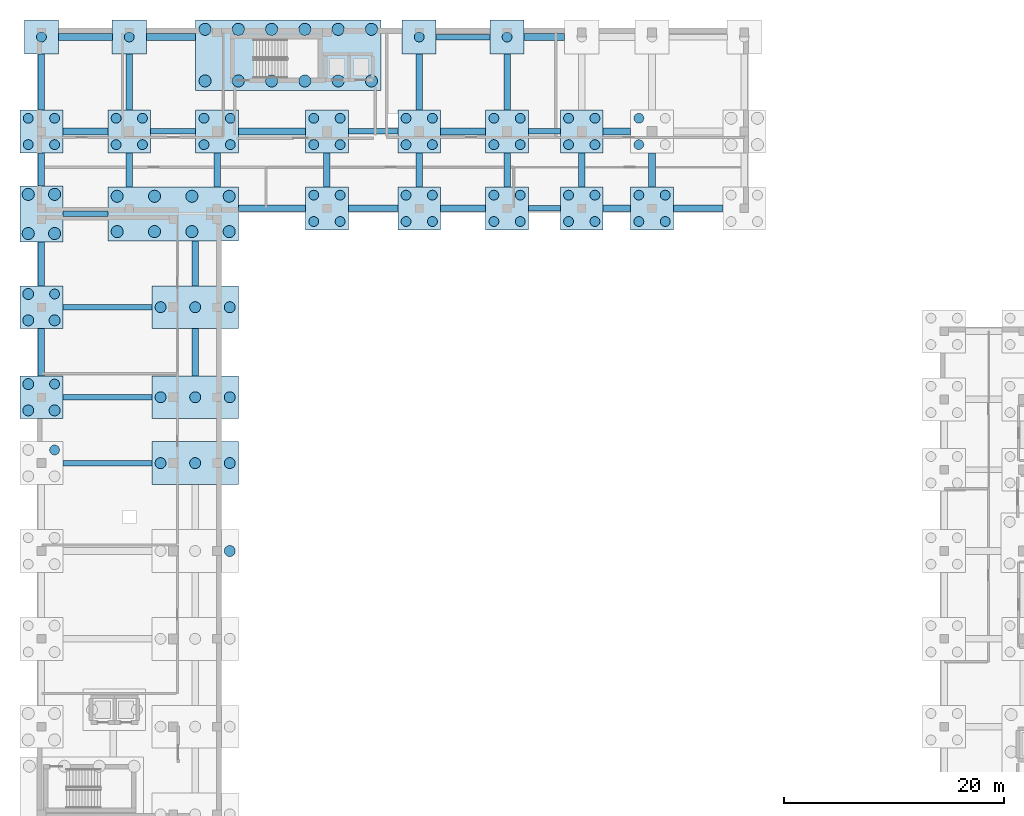
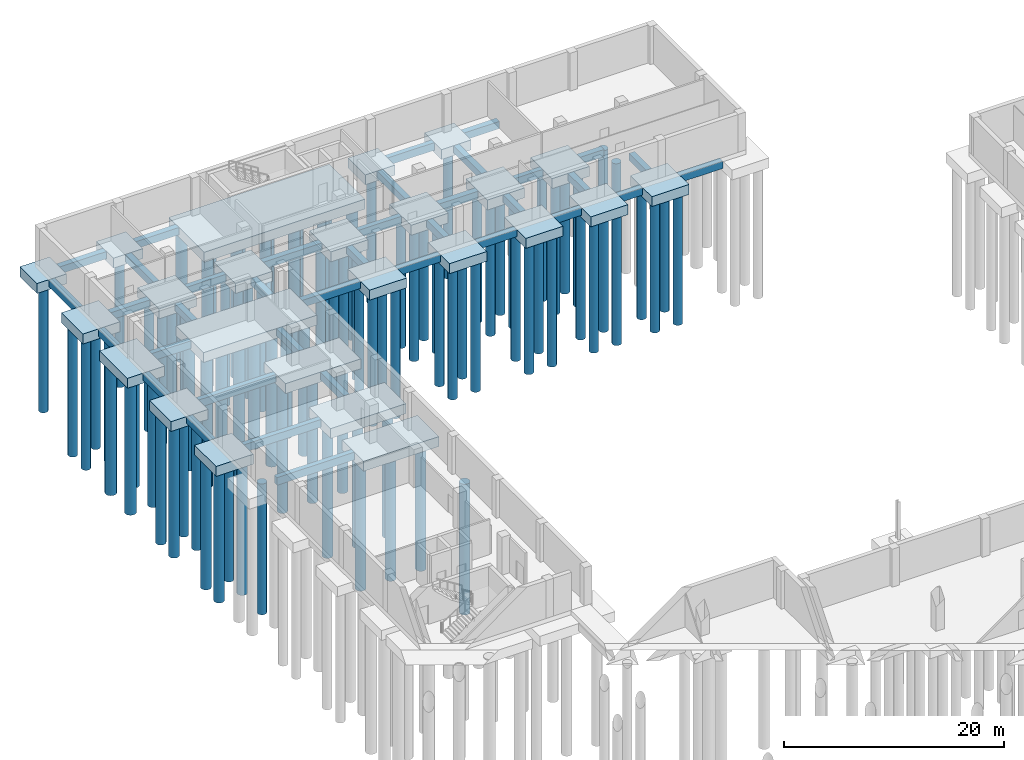
# One storey, part 4 of 31: 97 piles, 61 footings.
"""IFC4 building model written with IfcOpenShell, lengths in metres."""

import ifcopenshell
import ifcopenshell.guid

model = None  # the IFC model being written
_history = None  # IfcOwnerHistory: only IFC2X3 demands one
_inside = {}  # id of a spatial element -> (the spatial element, [elements in it])
_under = {}  # id of a project, library or spatial element -> (it, [spatial elements below it])
_declared = {}  # id of a project -> (the project, [libraries it declares])
_typed = {}  # id of a type object -> (the type object, [elements of that type])
_made_of = {}  # id of a material, layer set ... -> (it, [elements and type objects made of it])


def new_model(schema):
    """Start an empty IFC model of exactly this schema.

    Asked for "IFC4X3", IfcOpenShell would pick the latest addendum, in which some entities
    have other attributes; the version numbers below select the first issue.
    IFC2X3 requires an IfcOwnerHistory on every rooted entity: one is made here for all.
    """
    global model, _history
    if schema == "IFC4X3":
        model = ifcopenshell.file(schema_version=(4, 3, 0, 0))
    else:
        model = ifcopenshell.file(schema=schema)
    _inside.clear()
    _under.clear()
    _declared.clear()
    _typed.clear()
    _made_of.clear()
    _history = None
    if model.schema == "IFC2X3":
        org = make("IfcOrganization", Name="unknown")
        user = make(
            "IfcPersonAndOrganization",
            ThePerson=make("IfcPerson", FamilyName="unknown"),
            TheOrganization=org,
        )
        app = make(
            "IfcApplication",
            ApplicationDeveloper=org,
            Version="unknown",
            ApplicationFullName="unknown",
            ApplicationIdentifier="unknown",
        )
        _history = make(
            "IfcOwnerHistory",
            OwningUser=user,
            OwningApplication=app,
            ChangeAction="ADDED",
            CreationDate=0,
        )
    return model


def make(cls, **values):
    """One entity of the class cls with the attributes given. An attribute that is None is left unset."""
    return model.create_entity(
        cls, **{name: value for name, value in values.items() if value is not None}
    )


def rooted(cls, **values):
    """An entity with a GlobalId (a new one), such as an element, a storey or a relation."""
    return make(cls, GlobalId=ifcopenshell.guid.new(), OwnerHistory=_history, **values)


def si_unit(unit_type, name, prefix=None):
    """IfcSIUnit, for example si_unit("LENGTHUNIT", "METRE", prefix="MILLI")."""
    return make("IfcSIUnit", UnitType=unit_type, Prefix=prefix, Name=name)


def assignment(units):
    """IfcUnitAssignment: the units of a project."""
    return None if units is None else make("IfcUnitAssignment", Units=units)


def point(xyz):
    """IfcCartesianPoint."""
    return None if xyz is None else make("IfcCartesianPoint", Coordinates=xyz)


def direction(xyz):
    """IfcDirection."""
    return None if xyz is None else make("IfcDirection", DirectionRatios=xyz)


def frame(location, z_axis=None, x_axis=None):
    """IfcAxis2Placement3D, a coordinate frame: its origin and axes. An axis left out is left unset."""
    return make(
        "IfcAxis2Placement3D",
        Location=point(location),
        Axis=direction(z_axis),
        RefDirection=direction(x_axis),
    )


def frame_2d(location, x_axis=None):
    """IfcAxis2Placement2D, a coordinate frame in the plane: its origin and x axis."""
    return make(
        "IfcAxis2Placement2D", Location=point(location), RefDirection=direction(x_axis)
    )


def origin():
    """The frame at (0, 0, 0) with its axes left unset."""
    return frame((0.0, 0.0, 0.0))


def origin_2d():
    """The frame at (0, 0) in the plane with its x axis left unset."""
    return frame_2d((0.0, 0.0))


def place(relative_to, where):
    """IfcLocalPlacement: puts the frame where relative to a parent placement (None: the world)."""
    return make(
        "IfcLocalPlacement", PlacementRelTo=relative_to, RelativePlacement=where
    )


def context(
    kind, dimensions, precision=None, world=None, true_north=None, identifier=None
):
    """IfcGeometricRepresentationContext, for example the 3D "Model" context."""
    return make(
        "IfcGeometricRepresentationContext",
        ContextIdentifier=identifier,
        ContextType=kind,
        CoordinateSpaceDimension=dimensions,
        Precision=precision,
        WorldCoordinateSystem=world,
        TrueNorth=true_north,
    )


def subcontext(parent, identifier, kind, view, scale=None):
    """IfcGeometricRepresentationSubContext, for example "Body" below "Model"."""
    return make(
        "IfcGeometricRepresentationSubContext",
        ContextIdentifier=identifier,
        ContextType=kind,
        ParentContext=parent,
        TargetScale=scale,
        TargetView=view,
    )


def project(units=None, contexts=None):
    """IfcProject with its units and contexts."""
    return rooted(
        "IfcProject",
        Name="project",
        RepresentationContexts=contexts,
        UnitsInContext=assignment(units),
    )


def spatial(cls, under=None, at=None, **own):
    """A site, building, storey or space (cls), placed at a placement, below another one or the project."""
    s = rooted(cls, ObjectPlacement=at, **own)
    if under is not None:
        _under.setdefault(under.id(), (under, []))[1].append(s)
    return s


def profile(cls, at=None, kind="AREA", **sizes):
    """A parametric profile (cls). Its sizes go by their IFC names, for example OverallWidth=200.0."""
    return make(cls, ProfileType=kind, Position=at, **sizes)


def rectangle(**sizes):
    """IfcRectangleProfileDef."""
    return profile("IfcRectangleProfileDef", **sizes)


def circle(**sizes):
    """IfcCircleProfileDef."""
    return profile("IfcCircleProfileDef", **sizes)


def extrude(swept, where, along, depth):
    """IfcExtrudedAreaSolid: the profile swept, set in the frame where, extruded along a direction by depth."""
    return make(
        "IfcExtrudedAreaSolid",
        SweptArea=swept,
        Position=where,
        ExtrudedDirection=direction(along),
        Depth=depth,
    )


def shape(context_of_items, identifier, shape_type, items):
    """IfcShapeRepresentation: the items that make up one representation, for example the "Body"."""
    return make(
        "IfcShapeRepresentation",
        ContextOfItems=context_of_items,
        RepresentationIdentifier=identifier,
        RepresentationType=shape_type,
        Items=items,
    )


def material(Name=None, Category=None):
    """IfcMaterial."""
    return make("IfcMaterial", Name=Name, Category=Category)


def material_profile(
    of_material, cross_section, Name=None, Category=None, Priority=None
):
    """IfcMaterialProfile: a cross section and its material."""
    return make(
        "IfcMaterialProfile",
        Name=Name,
        Material=of_material,
        Profile=cross_section,
        Priority=Priority,
        Category=Category,
    )


def profile_set(profiles, Name=None, composite=None):
    """IfcMaterialProfileSet."""
    return make(
        "IfcMaterialProfileSet",
        Name=Name,
        MaterialProfiles=profiles,
        CompositeProfile=composite,
    )


def made_of(thing, what):
    """Note that an element or type object is made of a material, layer set ...; save() writes the relation."""
    if what is not None:
        _made_of.setdefault(what.id(), (what, []))[1].append(thing)
    return thing


def type_object(cls, material=None, **own):
    """A type object (cls), such as IfcWallType, which elements share."""
    return made_of(rooted(cls, **own), material)


def element(
    cls,
    number,
    at=None,
    inside=None,
    cuts=None,
    type_object=None,
    material=None,
    context=None,
    identifier="Body",
    shape_type=None,
    held_by="IfcProductDefinitionShape",
    body=None,
    shapes=None,
    **own,
):
    """One element of the class cls, such as IfcWall. Its Tag is "e" and its number.

    at: its placement. inside: the storey or other place that contains it. cuts: it is an
    opening in that element (IfcRelVoidsElement). A single representation is given by context,
    identifier, shape_type and body (its items); several are given by shapes. held_by: the class
    of the entity that holds the representations. save() writes the other relations.
    """
    e = rooted(cls, Tag="e%d" % number, ObjectPlacement=at, **own)
    if body is not None:
        shapes = [shape(context, identifier, shape_type, body)]
    if shapes is not None:
        e.Representation = make(held_by, Representations=shapes)
    if inside is not None:
        _inside.setdefault(inside.id(), (inside, []))[1].append(e)
    if cuts is not None:
        rooted(
            "IfcRelVoidsElement", RelatingBuildingElement=cuts, RelatedOpeningElement=e
        )
    if type_object is not None:
        _typed.setdefault(type_object.id(), (type_object, []))[1].append(e)
    return made_of(e, material)


def aggregate(whole, parts):
    """IfcRelAggregates: a whole, such as a stair, and the parts it consists of."""
    return rooted("IfcRelAggregates", RelatingObject=whole, RelatedObjects=parts)


def save(model, path):
    """Write the relations noted so far, then the file.

    IfcRelAggregates (storeys below a building ...), IfcRelContainedInSpatialStructure (elements
    in a storey), IfcRelDefinesByType, IfcRelAssociatesMaterial and IfcRelDeclares: one each for
    every whole, place, type object, material and project.
    """
    for whole, parts in _under.values():
        aggregate(whole, parts)
    for where, things in _inside.values():
        rooted(
            "IfcRelContainedInSpatialStructure",
            RelatedElements=things,
            RelatingStructure=where,
        )
    for kind, things in _typed.values():
        rooted("IfcRelDefinesByType", RelatedObjects=things, RelatingType=kind)
    for what, things in _made_of.values():
        rooted("IfcRelAssociatesMaterial", RelatedObjects=things, RelatingMaterial=what)
    for by, libraries in _declared.values():
        rooted("IfcRelDeclares", RelatingContext=by, RelatedDefinitions=libraries)
    model.write(path)


model = new_model("IFC4")

# Units and contexts
model_context = context("Model", 3, precision=1e-05, world=origin(), true_north=direction((0.0, 1.0)))
body_context = subcontext(model_context, "Body", "Model", "MODEL_VIEW")
ifc_project = project(units=[si_unit("LENGTHUNIT", "METRE"), si_unit("AREAUNIT", "SQUARE_METRE"), si_unit("VOLUMEUNIT", "CUBIC_METRE"), si_unit("PLANEANGLEUNIT", "RADIAN"), si_unit("MASSUNIT", "GRAM", prefix="KILO")], contexts=[model_context])

# Site, building, storey
site_placement = place(None, origin())
site = spatial("IfcSite", under=ifc_project, at=site_placement, CompositionType="ELEMENT")
building_placement = place(site_placement, origin())
building = spatial("IfcBuilding", under=site, at=building_placement, Name="Qalavern Law Courts", CompositionType="ELEMENT")
storey_placement = place(building_placement, frame((0.0, 0.0, -8.39990234375)))
storey = spatial("IfcBuildingStorey", under=building, at=storey_placement, Name="B2", CompositionType="ELEMENT", Elevation=-8.39990234375)

# Footings
ifc_material = material(Name="Concrete C35/45", Category="concrete")
ifc_material_profile_1 = material_profile(ifc_material, rectangle(XDim=0.5, YDim=0.85009765625, at=origin_2d()), Name="RC 500x850")
ifc_profile_set_1 = profile_set([ifc_material_profile_1], Name="Concrete C35/45")
footing_type_1 = type_object("IfcFootingType", Name="STR-FB-500x850", PredefinedType="FOOTING_BEAM", material=ifc_profile_set_1)
for number, where, z_axis, x_axis, name in (
    (1, (4.35009765625, 73.39990234375, -0.925048828125), (1.0, 0.0, 0.0), (0.0, 1.0, 0.0), "Seismic tie beam 117"),
    (2, (4.35009765625, 79.39990234375, -0.925048828125), (1.0, 0.0, 0.0), (0.0, 1.0, 0.0), "Seismic tie beam 120"),
    (3, (4.35009765625, 87.60009765625, -0.925048828125), (1.0, 0.0, 0.0), (0.0, 1.0, 0.0), "Seismic tie beam 126"),
):
    element("IfcFooting", number, at=place(storey_placement, frame(where, z_axis=z_axis, x_axis=x_axis)), inside=storey, type_object=footing_type_1, Name=name, PredefinedType="FOOTING_BEAM", context=body_context, shape_type="SweptSolid", body=[
        extrude(rectangle(XDim=0.5, YDim=0.85009765625, at=origin_2d()), origin(), (0.0, 0.0, 1.0), 8.099853515625),
    ])
footing_1_placement = place(storey_placement, frame((4.35009765625, 96.090087890625, -0.925048828125), z_axis=(1.0, 0.0, 0.0), x_axis=(0.0, 1.0, 0.0)))
element("IfcFooting", 4, at=footing_1_placement, inside=storey, type_object=footing_type_1, Name="Seismic tie beam 129", PredefinedType="FOOTING_BEAM", context=body_context, shape_type="SweptSolid", body=[
    extrude(rectangle(XDim=0.5, YDim=0.85009765625, at=origin_2d()), origin(), (0.0, 0.0, 1.0), 4.099853515625),
])
footing_2_placement = place(storey_placement, frame((46.75, 96.60009765625, -0.925048828125), z_axis=(1.0, 0.0, 0.0), x_axis=(0.0, 1.0, 0.0)))
element("IfcFooting", 5, at=footing_2_placement, inside=storey, type_object=footing_type_1, Name="Seismic tie beam 138", PredefinedType="FOOTING_BEAM", context=body_context, shape_type="SweptSolid", body=[
    extrude(rectangle(XDim=0.5, YDim=0.85009765625, at=origin_2d()), origin(), (0.0, 0.0, 1.0), 2.89990234375),
])
footing_3_placement = place(storey_placement, frame((12.35009765625, 103.60009765625, -0.925048828125), z_axis=(1.0, 0.0, 0.0), x_axis=(0.0, 1.0, 0.0)))
element("IfcFooting", 6, at=footing_3_placement, inside=storey, type_object=footing_type_1, Name="Seismic tie beam 147", PredefinedType="FOOTING_BEAM", context=body_context, shape_type="SweptSolid", body=[
    extrude(rectangle(XDim=0.5, YDim=0.85009765625, at=origin_2d()), origin(), (0.0, 0.0, 1.0), 4.099853515625),
])
footing_4_placement = place(storey_placement, frame((30.35009765625, 103.60009765625, -0.925048828125), z_axis=(1.0, 0.0, 0.0), x_axis=(0.0, 1.0, 0.0)))
element("IfcFooting", 7, at=footing_4_placement, inside=storey, type_object=footing_type_1, Name="Seismic tie beam 150", PredefinedType="FOOTING_BEAM", context=body_context, shape_type="SweptSolid", body=[
    extrude(rectangle(XDim=0.5, YDim=0.85009765625, at=origin_2d()), origin(), (0.0, 0.0, 1.0), 4.5),
])
footing_5_placement = place(storey_placement, frame((46.75, 103.60009765625, -0.925048828125), z_axis=(1.0, 0.0, 0.0), x_axis=(0.0, 1.0, 0.0)))
element("IfcFooting", 8, at=footing_5_placement, inside=storey, type_object=footing_type_1, Name="Seismic tie beam 153", PredefinedType="FOOTING_BEAM", context=body_context, shape_type="SweptSolid", body=[
    extrude(rectangle(XDim=0.5, YDim=0.85009765625, at=origin_2d()), origin(), (0.0, 0.0, 1.0), 2.89990234375),
])
footing_6_placement = place(storey_placement, frame((38.35009765625, 112.199951171875, -0.925048828125), z_axis=(1.0, 0.0, 0.0), x_axis=(0.0, 1.0, 0.0)))
element("IfcFooting", 9, at=footing_6_placement, inside=storey, type_object=footing_type_1, Name="Seismic tie beam 162", PredefinedType="FOOTING_BEAM", context=body_context, shape_type="SweptSolid", body=[
    extrude(rectangle(XDim=0.5, YDim=0.85009765625, at=origin_2d()), origin(), (0.0, 0.0, 1.0), 4.89990234375),
])
ifc_material_profile_2 = material_profile(ifc_material, rectangle(XDim=0.60009765625, YDim=0.800048828125, at=origin_2d()), Name="RC 600x800")
ifc_profile_set_2 = profile_set([ifc_material_profile_2], Name="Concrete C35/45")
footing_type_2 = type_object("IfcFootingType", Name="STR-FB-600x800", PredefinedType="FOOTING_BEAM", material=ifc_profile_set_2)
for number, where, z_axis, x_axis, name in (
    (10, (2.39990234375, 81.35009765625, -0.900146484375), (0.0, 1.0, 0.0), (-1.0, 0.0, 0.0), "Seismic tie beam 121"),
    (11, (16.39990234375, 81.35009765625, -0.900146484375), (0.0, 1.0, 0.0), (-1.0, 0.0, 0.0), "Seismic tie beam 122"),
):
    element("IfcFooting", number, at=place(storey_placement, frame(where, z_axis=z_axis, x_axis=x_axis)), inside=storey, type_object=footing_type_2, Name=name, PredefinedType="FOOTING_BEAM", context=body_context, shape_type="SweptSolid", body=[
        extrude(rectangle(XDim=0.60009765625, YDim=0.800048828125, at=origin_2d()), origin(), (0.0, 0.0, 1.0), 4.2998046875),
    ])
footing_7_placement = place(storey_placement, frame((2.39990234375, 89.550048828125, -0.900146484375), z_axis=(0.0, 1.0, 0.0), x_axis=(-1.0, 0.0, 0.0)))
element("IfcFooting", 12, at=footing_7_placement, inside=storey, type_object=footing_type_2, Name="Seismic tie beam 127", PredefinedType="FOOTING_BEAM", context=body_context, shape_type="SweptSolid", body=[
    extrude(rectangle(XDim=0.60009765625, YDim=0.800048828125, at=origin_2d()), origin(), (0.0, 0.0, 1.0), 4.0048828125),
])
footing_8_placement = place(storey_placement, frame((16.39990234375, 89.550048828125, -0.900146484375), z_axis=(0.0, 1.0, 0.0), x_axis=(-1.0, 0.0, 0.0)))
element("IfcFooting", 13, at=footing_8_placement, inside=storey, type_object=footing_type_2, Name="Seismic tie beam 128", PredefinedType="FOOTING_BEAM", context=body_context, shape_type="SweptSolid", body=[
    extrude(rectangle(XDim=0.60009765625, YDim=0.800048828125, at=origin_2d()), origin(), (0.0, 0.0, 1.0), 4.079833984375),
])
footing_9_placement = place(storey_placement, frame((2.39990234375, 98.625, -0.900146484375), z_axis=(0.0, 1.0, 0.0), x_axis=(-1.0, 0.0, 0.0)))
element("IfcFooting", 14, at=footing_9_placement, inside=storey, type_object=footing_type_2, Name="Seismic tie beam 130", PredefinedType="FOOTING_BEAM", context=body_context, shape_type="SweptSolid", body=[
    extrude(rectangle(XDim=0.60009765625, YDim=0.800048828125, at=origin_2d()), origin(), (0.0, 0.0, 1.0), 3.02490234375),
])
footing_10_placement = place(storey_placement, frame((20.35009765625, 96.60009765625, -0.900146484375), z_axis=(1.0, 0.0, 0.0), x_axis=(0.0, 1.0, 0.0)))
element("IfcFooting", 15, at=footing_10_placement, inside=storey, type_object=footing_type_2, Name="Seismic tie beam 131", PredefinedType="FOOTING_BEAM", context=body_context, shape_type="SweptSolid", body=[
    extrude(rectangle(XDim=0.60009765625, YDim=0.800048828125, at=origin_2d()), origin(), (0.0, 0.0, 1.0), 6.099853515625),
])
for number, where, z_axis, x_axis, name in (
    (16, (10.39990234375, 98.550048828125, -0.900146484375), (0.0, 1.0, 0.0), (-1.0, 0.0, 0.0), "Seismic tie beam 132"),
    (17, (18.39990234375, 98.550048828125, -0.900146484375), (0.0, 1.0, 0.0), (-1.0, 0.0, 0.0), "Seismic tie beam 133"),
):
    element("IfcFooting", number, at=place(storey_placement, frame(where, z_axis=z_axis, x_axis=x_axis)), inside=storey, type_object=footing_type_2, Name=name, PredefinedType="FOOTING_BEAM", context=body_context, shape_type="SweptSolid", body=[
        extrude(rectangle(XDim=0.60009765625, YDim=0.800048828125, at=origin_2d()), origin(), (0.0, 0.0, 1.0), 3.099853515625),
    ])
footing_11_placement = place(storey_placement, frame((30.35009765625, 96.60009765625, -0.900146484375), z_axis=(1.0, 0.0, 0.0), x_axis=(0.0, 1.0, 0.0)))
element("IfcFooting", 18, at=footing_11_placement, inside=storey, type_object=footing_type_2, Name="Seismic tie beam 134", PredefinedType="FOOTING_BEAM", context=body_context, shape_type="SweptSolid", body=[
    extrude(rectangle(XDim=0.60009765625, YDim=0.800048828125, at=origin_2d()), origin(), (0.0, 0.0, 1.0), 4.5),
])
footing_12_placement = place(storey_placement, frame((28.39990234375, 98.550048828125, -0.900146484375), z_axis=(0.0, 1.0, 0.0), x_axis=(-1.0, 0.0, 0.0)))
element("IfcFooting", 19, at=footing_12_placement, inside=storey, type_object=footing_type_2, Name="Seismic tie beam 135", PredefinedType="FOOTING_BEAM", context=body_context, shape_type="SweptSolid", body=[
    extrude(rectangle(XDim=0.60009765625, YDim=0.800048828125, at=origin_2d()), origin(), (0.0, 0.0, 1.0), 3.099853515625),
])
footing_13_placement = place(storey_placement, frame((38.75, 96.60009765625, -0.900146484375), z_axis=(1.0, 0.0, 0.0), x_axis=(0.0, 1.0, 0.0)))
element("IfcFooting", 20, at=footing_13_placement, inside=storey, type_object=footing_type_2, Name="Seismic tie beam 136", PredefinedType="FOOTING_BEAM", context=body_context, shape_type="SweptSolid", body=[
    extrude(rectangle(XDim=0.60009765625, YDim=0.800048828125, at=origin_2d()), origin(), (0.0, 0.0, 1.0), 4.10009765625),
])
for number, where, z_axis, x_axis, name in (
    (21, (36.800048828125, 98.550048828125, -0.900146484375), (0.0, 1.0, 0.0), (-1.0, 0.0, 0.0), "Seismic tie beam 137"),
    (22, (44.800048828125, 98.550048828125, -0.900146484375), (0.0, 1.0, 0.0), (-1.0, 0.0, 0.0), "Seismic tie beam 139"),
):
    element("IfcFooting", number, at=place(storey_placement, frame(where, z_axis=z_axis, x_axis=x_axis)), inside=storey, type_object=footing_type_2, Name=name, PredefinedType="FOOTING_BEAM", context=body_context, shape_type="SweptSolid", body=[
        extrude(rectangle(XDim=0.60009765625, YDim=0.800048828125, at=origin_2d()), origin(), (0.0, 0.0, 1.0), 3.099853515625),
    ])
footing_14_placement = place(storey_placement, frame((53.550048828125, 96.60009765625, -0.900146484375), z_axis=(1.0, 0.0, 0.0), x_axis=(0.0, 1.0, 0.0)))
element("IfcFooting", 23, at=footing_14_placement, inside=storey, type_object=footing_type_2, Name="Seismic tie beam 140", PredefinedType="FOOTING_BEAM", context=body_context, shape_type="SweptSolid", body=[
    extrude(rectangle(XDim=0.60009765625, YDim=0.800048828125, at=origin_2d()), origin(), (0.0, 0.0, 1.0), 2.5),
])
footing_15_placement = place(storey_placement, frame((51.60009765625, 98.550048828125, -0.900146484375), z_axis=(0.0, 1.0, 0.0), x_axis=(-1.0, 0.0, 0.0)))
element("IfcFooting", 24, at=footing_15_placement, inside=storey, type_object=footing_type_2, Name="Seismic tie beam 141", PredefinedType="FOOTING_BEAM", context=body_context, shape_type="SweptSolid", body=[
    extrude(rectangle(XDim=0.60009765625, YDim=0.800048828125, at=origin_2d()), origin(), (0.0, 0.0, 1.0), 3.099853515625),
])
footing_16_placement = place(storey_placement, frame((59.949951171875, 96.60009765625, -0.900146484375), z_axis=(1.0, 0.0, 0.0), x_axis=(0.0, 1.0, 0.0)))
element("IfcFooting", 25, at=footing_16_placement, inside=storey, type_object=footing_type_2, Name="Seismic tie beam 142", PredefinedType="FOOTING_BEAM", context=body_context, shape_type="SweptSolid", body=[
    extrude(rectangle(XDim=0.60009765625, YDim=0.800048828125, at=origin_2d()), origin(), (0.0, 0.0, 1.0), 4.5),
])
footing_17_placement = place(storey_placement, frame((58.0, 98.550048828125, -0.900146484375), z_axis=(0.0, 1.0, 0.0), x_axis=(-1.0, 0.0, 0.0)))
element("IfcFooting", 26, at=footing_17_placement, inside=storey, type_object=footing_type_2, Name="Seismic tie beam 143", PredefinedType="FOOTING_BEAM", context=body_context, shape_type="SweptSolid", body=[
    extrude(rectangle(XDim=0.60009765625, YDim=0.800048828125, at=origin_2d()), origin(), (0.0, 0.0, 1.0), 3.099853515625),
])
footing_18_placement = place(storey_placement, frame((4.35009765625, 103.60009765625, -0.900146484375), z_axis=(1.0, 0.0, 0.0), x_axis=(0.0, 1.0, 0.0)))
element("IfcFooting", 27, at=footing_18_placement, inside=storey, type_object=footing_type_2, Name="Seismic tie beam 145", PredefinedType="FOOTING_BEAM", context=body_context, shape_type="SweptSolid", body=[
    extrude(rectangle(XDim=0.60009765625, YDim=0.800048828125, at=origin_2d()), origin(), (0.0, 0.0, 1.0), 4.099853515625),
])
for number, where, z_axis, x_axis, name in (
    (28, (2.39990234375, 105.550048828125, -0.900146484375), (0.0, 1.0, 0.0), (-1.0, 0.0, 0.0), "Seismic tie beam 146"),
    (29, (10.39990234375, 105.550048828125, -0.900146484375), (0.0, 1.0, 0.0), (-1.0, 0.0, 0.0), "Seismic tie beam 148"),
):
    element("IfcFooting", number, at=place(storey_placement, frame(where, z_axis=z_axis, x_axis=x_axis)), inside=storey, type_object=footing_type_2, Name=name, PredefinedType="FOOTING_BEAM", context=body_context, shape_type="SweptSolid", body=[
        extrude(rectangle(XDim=0.60009765625, YDim=0.800048828125, at=origin_2d()), origin(), (0.0, 0.0, 1.0), 5.099853515625),
    ])
footing_19_placement = place(storey_placement, frame((20.35009765625, 103.60009765625, -0.900146484375), z_axis=(1.0, 0.0, 0.0), x_axis=(0.0, 1.0, 0.0)))
element("IfcFooting", 30, at=footing_19_placement, inside=storey, type_object=footing_type_2, Name="Seismic tie beam 149", PredefinedType="FOOTING_BEAM", context=body_context, shape_type="SweptSolid", body=[
    extrude(rectangle(XDim=0.60009765625, YDim=0.800048828125, at=origin_2d()), origin(), (0.0, 0.0, 1.0), 6.099853515625),
])
footing_20_placement = place(storey_placement, frame((38.75, 103.60009765625, -0.900146484375), z_axis=(1.0, 0.0, 0.0), x_axis=(0.0, 1.0, 0.0)))
element("IfcFooting", 31, at=footing_20_placement, inside=storey, type_object=footing_type_2, Name="Seismic tie beam 151", PredefinedType="FOOTING_BEAM", context=body_context, shape_type="SweptSolid", body=[
    extrude(rectangle(XDim=0.60009765625, YDim=0.800048828125, at=origin_2d()), origin(), (0.0, 0.0, 1.0), 4.10009765625),
])
for number, where, z_axis, x_axis, name in (
    (32, (36.800048828125, 105.550048828125, -0.900146484375), (0.0, 1.0, 0.0), (-1.0, 0.0, 0.0), "Seismic tie beam 152"),
    (33, (44.800048828125, 105.550048828125, -0.900146484375), (0.0, 1.0, 0.0), (-1.0, 0.0, 0.0), "Seismic tie beam 154"),
):
    element("IfcFooting", number, at=place(storey_placement, frame(where, z_axis=z_axis, x_axis=x_axis)), inside=storey, type_object=footing_type_2, Name=name, PredefinedType="FOOTING_BEAM", context=body_context, shape_type="SweptSolid", body=[
        extrude(rectangle(XDim=0.60009765625, YDim=0.800048828125, at=origin_2d()), origin(), (0.0, 0.0, 1.0), 5.099853515625),
    ])
footing_21_placement = place(storey_placement, frame((53.550048828125, 103.60009765625, -0.900146484375), z_axis=(1.0, 0.0, 0.0), x_axis=(0.0, 1.0, 0.0)))
element("IfcFooting", 34, at=footing_21_placement, inside=storey, type_object=footing_type_2, Name="Seismic tie beam 155", PredefinedType="FOOTING_BEAM", context=body_context, shape_type="SweptSolid", body=[
    extrude(rectangle(XDim=0.60009765625, YDim=0.800048828125, at=origin_2d()), origin(), (0.0, 0.0, 1.0), 2.5),
])
footing_22_placement = place(storey_placement, frame((11.949951171875, 112.199951171875, -0.900146484375), z_axis=(1.0, 0.0, 0.0), x_axis=(0.0, 1.0, 0.0)))
element("IfcFooting", 35, at=footing_22_placement, inside=storey, type_object=footing_type_2, Name="Seismic tie beam 160", PredefinedType="FOOTING_BEAM", context=body_context, shape_type="SweptSolid", body=[
    extrude(rectangle(XDim=0.60009765625, YDim=0.800048828125, at=origin_2d()), origin(), (0.0, 0.0, 1.0), 4.5),
])
footing_23_placement = place(storey_placement, frame((3.949951171875, 112.199951171875, -0.900146484375), z_axis=(1.0, 0.0, 0.0), x_axis=(0.0, 1.0, 0.0)))
element("IfcFooting", 36, at=footing_23_placement, inside=storey, type_object=footing_type_2, Name="Seismic tie beam 161", PredefinedType="FOOTING_BEAM", context=body_context, shape_type="SweptSolid", body=[
    extrude(rectangle(XDim=0.60009765625, YDim=0.800048828125, at=origin_2d()), origin(), (0.0, 0.0, 1.0), 4.900146484375),
])
footing_24_placement = place(storey_placement, frame((46.35009765625, 112.199951171875, -0.900146484375), z_axis=(1.0, 0.0, 0.0), x_axis=(0.0, 1.0, 0.0)))
element("IfcFooting", 37, at=footing_24_placement, inside=storey, type_object=footing_type_2, Name="Seismic tie beam 163", PredefinedType="FOOTING_BEAM", context=body_context, shape_type="SweptSolid", body=[
    extrude(rectangle(XDim=0.60009765625, YDim=0.800048828125, at=origin_2d()), origin(), (0.0, 0.0, 1.0), 3.699951171875),
])
footing_type_3 = type_object("IfcFootingType", Name="STR-PC-11900x4920x1100", PredefinedType="PILE_CAP", material=ifc_material)
footing_25_placement = place(storey_placement, frame((14.39990234375, 96.090087890625, -1.60009765625), z_axis=(0.0, 0.0, 1.0), x_axis=(1.0, 0.0, 0.0)))
element("IfcFooting", 38, at=footing_25_placement, inside=storey, type_object=footing_type_3, Name="Pile cap 102", PredefinedType="PILE_CAP", context=body_context, shape_type="SweptSolid", body=[
    extrude(rectangle(XDim=11.89990234375, YDim=4.919921875, at=origin_2d()), origin(), (0.0, 0.0, 1.0), 1.10009765625),
])
footing_type_4 = type_object("IfcFootingType", Name="STR-PC-16850x6400x1100", PredefinedType="PILE_CAP", material=ifc_material)
footing_26_placement = place(storey_placement, frame((24.875, 110.550048828125, -1.60009765625), z_axis=(0.0, 0.0, 1.0), x_axis=(1.0, 0.0, 0.0)))
element("IfcFooting", 39, at=footing_26_placement, inside=storey, type_object=footing_type_4, Name="Pile cap 118", PredefinedType="PILE_CAP", context=body_context, shape_type="SweptSolid", body=[
    extrude(rectangle(XDim=16.85009765625, YDim=6.39990234375, at=origin_2d()), origin(), (0.0, 0.0, 1.0), 1.10009765625),
])
footing_type_5 = type_object("IfcFootingType", Name="STR-PC-3100x3100x1100", PredefinedType="PILE_CAP", material=ifc_material)
for number, where, z_axis, x_axis, name in (
    (40, (2.39990234375, 112.199951171875, -1.60009765625), (0.0, 0.0, 1.0), (1.0, 0.0, 0.0), "Pile cap 119"),
    (41, (10.39990234375, 112.199951171875, -1.60009765625), (0.0, 0.0, 1.0), (1.0, 0.0, 0.0), "Pile cap 120"),
    (42, (36.800048828125, 112.199951171875, -1.60009765625), (0.0, 0.0, 1.0), (1.0, 0.0, 0.0), "Pile cap 121"),
    (43, (44.800048828125, 112.199951171875, -1.60009765625), (0.0, 0.0, 1.0), (1.0, 0.0, 0.0), "Pile cap 122"),
):
    element("IfcFooting", number, at=place(storey_placement, frame(where, z_axis=z_axis, x_axis=x_axis)), inside=storey, type_object=footing_type_5, Name=name, PredefinedType="PILE_CAP", context=body_context, shape_type="SweptSolid", body=[
        extrude(rectangle(XDim=3.10009765625, YDim=3.10009765625, at=origin_2d()), origin(), (0.0, 0.0, 1.0), 1.10009765625),
    ])
footing_type_6 = type_object("IfcFootingType", Name="STR-PC-3900x3900x1100", PredefinedType="PILE_CAP", material=ifc_material)
for number, where, z_axis, x_axis, name in (
    (44, (2.39990234375, 79.39990234375, -1.60009765625), (0.0, 0.0, 1.0), (1.0, 0.0, 0.0), "Pile cap 093"),
    (45, (2.39990234375, 87.60009765625, -1.60009765625), (0.0, 0.0, 1.0), (1.0, 0.0, 0.0), "Pile cap 099"),
    (46, (28.39990234375, 96.60009765625, -1.60009765625), (0.0, 0.0, 1.0), (1.0, 0.0, 0.0), "Pile cap 103"),
    (47, (36.800048828125, 96.60009765625, -1.60009765625), (0.0, 0.0, 1.0), (1.0, 0.0, 0.0), "Pile cap 104"),
    (48, (44.800048828125, 96.60009765625, -1.60009765625), (0.0, 0.0, 1.0), (1.0, 0.0, 0.0), "Pile cap 105"),
    (49, (51.60009765625, 96.60009765625, -1.60009765625), (0.0, 0.0, 1.0), (1.0, 0.0, 0.0), "Pile cap 106"),
    (50, (58.0, 96.60009765625, -1.60009765625), (0.0, 0.0, 1.0), (1.0, 0.0, 0.0), "Pile cap 107"),
    (51, (2.39990234375, 103.60009765625, -1.60009765625), (0.0, 0.0, 1.0), (1.0, 0.0, 0.0), "Pile cap 109"),
    (52, (10.39990234375, 103.60009765625, -1.60009765625), (0.0, 0.0, 1.0), (1.0, 0.0, 0.0), "Pile cap 110"),
    (53, (18.39990234375, 103.60009765625, -1.60009765625), (0.0, 0.0, 1.0), (1.0, 0.0, 0.0), "Pile cap 111"),
    (54, (28.39990234375, 103.60009765625, -1.60009765625), (0.0, 0.0, 1.0), (1.0, 0.0, 0.0), "Pile cap 112"),
    (55, (36.800048828125, 103.60009765625, -1.60009765625), (0.0, 0.0, 1.0), (1.0, 0.0, 0.0), "Pile cap 113"),
    (56, (44.800048828125, 103.60009765625, -1.60009765625), (0.0, 0.0, 1.0), (1.0, 0.0, 0.0), "Pile cap 114"),
    (57, (51.60009765625, 103.60009765625, -1.60009765625), (0.0, 0.0, 1.0), (1.0, 0.0, 0.0), "Pile cap 115"),
):
    element("IfcFooting", number, at=place(storey_placement, frame(where, z_axis=z_axis, x_axis=x_axis)), inside=storey, type_object=footing_type_6, Name=name, PredefinedType="PILE_CAP", context=body_context, shape_type="SweptSolid", body=[
        extrude(rectangle(XDim=3.89990234375, YDim=3.89990234375, at=origin_2d()), origin(), (0.0, 0.0, 1.0), 1.10009765625),
    ])
footing_type_7 = type_object("IfcFootingType", Name="STR-PC-3900x5070x1100", PredefinedType="PILE_CAP", material=ifc_material)
footing_27_placement = place(storey_placement, frame((2.39990234375, 96.090087890625, -1.60009765625), z_axis=(0.0, 0.0, 1.0), x_axis=(1.0, 0.0, 0.0)))
element("IfcFooting", 58, at=footing_27_placement, inside=storey, type_object=footing_type_7, Name="Pile cap 101", PredefinedType="PILE_CAP", context=body_context, shape_type="SweptSolid", body=[
    extrude(rectangle(XDim=3.89990234375, YDim=5.070068359375, at=origin_2d()), origin(), (0.0, 0.0, 1.0), 1.10009765625),
])
footing_type_8 = type_object("IfcFootingType", Name="STR-PC-7900x3900x1100", PredefinedType="PILE_CAP", material=ifc_material)
for number, where, z_axis, x_axis, name in (
    (59, (16.39990234375, 73.39990234375, -1.60009765625), (0.0, 0.0, 1.0), (1.0, 0.0, 0.0), "Pile cap 090"),
    (60, (16.39990234375, 79.39990234375, -1.60009765625), (0.0, 0.0, 1.0), (1.0, 0.0, 0.0), "Pile cap 094"),
    (61, (16.39990234375, 87.60009765625, -1.60009765625), (0.0, 0.0, 1.0), (1.0, 0.0, 0.0), "Pile cap 100"),
):
    element("IfcFooting", number, at=place(storey_placement, frame(where, z_axis=z_axis, x_axis=x_axis)), inside=storey, type_object=footing_type_8, Name=name, PredefinedType="PILE_CAP", context=body_context, shape_type="SweptSolid", body=[
        extrude(rectangle(XDim=7.89990234375, YDim=3.89990234375, at=origin_2d()), origin(), (0.0, 0.0, 1.0), 1.10009765625),
    ])

# Piles
ifc_material_profile_3 = material_profile(ifc_material, circle(Radius=0.5, at=origin_2d()), Name="BORED PILE 1000")
ifc_profile_set_3 = profile_set([ifc_material_profile_3], Name="Concrete C35/45")
pile_type_1 = type_object("IfcPileType", Name="STR-PILE-1000", PredefinedType="BORED", material=ifc_profile_set_3)
for number, where, z_axis, x_axis, name in (
    (62, (19.550048828125, 65.39990234375, -1.5), (0.0, 0.0, -1.0), (1.0, 0.0, 0.0), "Bored pile 0394"),
    (63, (13.25, 73.39990234375, -1.5), (0.0, 0.0, -1.0), (1.0, 0.0, 0.0), "Bored pile 0417"),
    (64, (16.39990234375, 73.39990234375, -1.5), (0.0, 0.0, -1.0), (1.0, 0.0, 0.0), "Bored pile 0418"),
    (65, (19.550048828125, 73.39990234375, -1.5), (0.0, 0.0, -1.0), (1.0, 0.0, 0.0), "Bored pile 0419"),
    (66, (1.199951171875, 78.199951171875, -1.5), (0.0, 0.0, -1.0), (1.0, 0.0, 0.0), "Bored pile 0428"),
    (67, (1.199951171875, 80.60009765625, -1.5), (0.0, 0.0, -1.0), (1.0, 0.0, 0.0), "Bored pile 0429"),
    (68, (3.60009765625, 78.199951171875, -1.5), (0.0, 0.0, -1.0), (1.0, 0.0, 0.0), "Bored pile 0430"),
    (69, (13.25, 79.39990234375, -1.5), (0.0, 0.0, -1.0), (1.0, 0.0, 0.0), "Bored pile 0432"),
    (70, (16.39990234375, 79.39990234375, -1.5), (0.0, 0.0, -1.0), (1.0, 0.0, 0.0), "Bored pile 0433"),
    (71, (19.550048828125, 79.39990234375, -1.5), (0.0, 0.0, -1.0), (1.0, 0.0, 0.0), "Bored pile 0434"),
    (72, (1.199951171875, 86.39990234375, -1.5), (0.0, 0.0, -1.0), (1.0, 0.0, 0.0), "Bored pile 0445"),
    (73, (1.199951171875, 88.800048828125, -1.5), (0.0, 0.0, -1.0), (1.0, 0.0, 0.0), "Bored pile 0446"),
    (74, (3.60009765625, 86.39990234375, -1.5), (0.0, 0.0, -1.0), (1.0, 0.0, 0.0), "Bored pile 0447"),
    (75, (13.25, 87.60009765625, -1.5), (0.0, 0.0, -1.0), (1.0, 0.0, 0.0), "Bored pile 0449"),
    (76, (16.39990234375, 87.60009765625, -1.5), (0.0, 0.0, -1.0), (1.0, 0.0, 0.0), "Bored pile 0450"),
    (77, (19.550048828125, 87.60009765625, -1.5), (0.0, 0.0, -1.0), (1.0, 0.0, 0.0), "Bored pile 0451"),
):
    element("IfcPile", number, at=place(storey_placement, frame(where, z_axis=z_axis, x_axis=x_axis)), inside=storey, type_object=pile_type_1, Name=name, PredefinedType="BORED", context=body_context, shape_type="SweptSolid", body=[
        extrude(circle(Radius=0.5, at=origin_2d()), origin(), (0.0, 0.0, 1.0), 14.5),
    ])
ifc_material_profile_4 = material_profile(ifc_material, circle(Radius=0.550048828125, at=origin_2d()), Name="BORED PILE 1100")
ifc_profile_set_4 = profile_set([ifc_material_profile_4], Name="Concrete C35/45")
pile_type_2 = type_object("IfcPileType", Name="STR-PILE-1100", PredefinedType="BORED", material=ifc_profile_set_4)
for number, where, z_axis, x_axis, name in (
    (78, (1.199951171875, 94.304931640625, -1.5), (0.0, 0.0, -1.0), (1.0, 0.0, 0.0), "Bored pile 0452"),
    (79, (1.199951171875, 97.875, -1.5), (0.0, 0.0, -1.0), (1.0, 0.0, 0.0), "Bored pile 0453"),
    (80, (3.60009765625, 94.304931640625, -1.5), (0.0, 0.0, -1.0), (1.0, 0.0, 0.0), "Bored pile 0454"),
    (81, (3.60009765625, 97.875, -1.5), (0.0, 0.0, -1.0), (1.0, 0.0, 0.0), "Bored pile 0455"),
    (82, (9.300048828125, 94.47998046875, -1.5), (0.0, 0.0, -1.0), (1.0, 0.0, 0.0), "Bored pile 0456"),
    (83, (9.300048828125, 97.699951171875, -1.5), (0.0, 0.0, -1.0), (1.0, 0.0, 0.0), "Bored pile 0457"),
    (84, (12.699951171875, 94.47998046875, -1.5), (0.0, 0.0, -1.0), (1.0, 0.0, 0.0), "Bored pile 0458"),
    (85, (12.699951171875, 97.699951171875, -1.5), (0.0, 0.0, -1.0), (1.0, 0.0, 0.0), "Bored pile 0459"),
    (86, (16.10009765625, 94.47998046875, -1.5), (0.0, 0.0, -1.0), (1.0, 0.0, 0.0), "Bored pile 0460"),
    (87, (16.10009765625, 97.699951171875, -1.5), (0.0, 0.0, -1.0), (1.0, 0.0, 0.0), "Bored pile 0461"),
    (88, (19.5, 94.47998046875, -1.5), (0.0, 0.0, -1.0), (1.0, 0.0, 0.0), "Bored pile 0462"),
    (89, (19.5, 97.699951171875, -1.5), (0.0, 0.0, -1.0), (1.0, 0.0, 0.0), "Bored pile 0463"),
    (90, (17.300048828125, 108.199951171875, -1.5), (0.0, 0.0, -1.0), (1.0, 0.0, 0.0), "Bored pile 0524"),
    (91, (17.300048828125, 112.89990234375, -1.5), (0.0, 0.0, -1.0), (1.0, 0.0, 0.0), "Bored pile 0525"),
    (92, (20.330078125, 108.199951171875, -1.5), (0.0, 0.0, -1.0), (1.0, 0.0, 0.0), "Bored pile 0526"),
    (93, (20.330078125, 112.89990234375, -1.5), (0.0, 0.0, -1.0), (1.0, 0.0, 0.0), "Bored pile 0527"),
    (94, (23.360107421875, 108.199951171875, -1.5), (0.0, 0.0, -1.0), (1.0, 0.0, 0.0), "Bored pile 0528"),
    (95, (23.360107421875, 112.89990234375, -1.5), (0.0, 0.0, -1.0), (1.0, 0.0, 0.0), "Bored pile 0529"),
    (96, (26.389892578125, 108.199951171875, -1.5), (0.0, 0.0, -1.0), (1.0, 0.0, 0.0), "Bored pile 0530"),
    (97, (26.389892578125, 112.89990234375, -1.5), (0.0, 0.0, -1.0), (1.0, 0.0, 0.0), "Bored pile 0531"),
    (98, (29.419921875, 108.199951171875, -1.5), (0.0, 0.0, -1.0), (1.0, 0.0, 0.0), "Bored pile 0532"),
    (99, (29.419921875, 112.89990234375, -1.5), (0.0, 0.0, -1.0), (1.0, 0.0, 0.0), "Bored pile 0533"),
    (100, (32.449951171875, 108.199951171875, -1.5), (0.0, 0.0, -1.0), (1.0, 0.0, 0.0), "Bored pile 0534"),
    (101, (32.449951171875, 112.89990234375, -1.5), (0.0, 0.0, -1.0), (1.0, 0.0, 0.0), "Bored pile 0535"),
):
    element("IfcPile", number, at=place(storey_placement, frame(where, z_axis=z_axis, x_axis=x_axis)), inside=storey, type_object=pile_type_2, Name=name, PredefinedType="BORED", context=body_context, shape_type="SweptSolid", body=[
        extrude(circle(Radius=0.550048828125, at=origin_2d()), origin(), (0.0, 0.0, 1.0), 14.5),
    ])
ifc_material_profile_5 = material_profile(ifc_material, circle(Radius=0.449951171875, at=origin_2d()), Name="BORED PILE 900")
ifc_profile_set_5 = profile_set([ifc_material_profile_5], Name="Concrete C35/45")
pile_type_3 = type_object("IfcPileType", Name="STR-PILE-900", PredefinedType="BORED", material=ifc_profile_set_5)
for number, where, z_axis, x_axis, name in (
    (102, (3.60009765625, 74.60009765625, -1.5), (0.0, 0.0, -1.0), (1.0, 0.0, 0.0), "Bored pile 0416"),
    (103, (3.60009765625, 80.60009765625, -1.5), (0.0, 0.0, -1.0), (1.0, 0.0, 0.0), "Bored pile 0431"),
    (104, (3.60009765625, 88.800048828125, -1.5), (0.0, 0.0, -1.0), (1.0, 0.0, 0.0), "Bored pile 0448"),
    (105, (27.199951171875, 95.39990234375, -1.5), (0.0, 0.0, -1.0), (1.0, 0.0, 0.0), "Bored pile 0464"),
    (106, (27.199951171875, 97.800048828125, -1.5), (0.0, 0.0, -1.0), (1.0, 0.0, 0.0), "Bored pile 0465"),
    (107, (29.60009765625, 95.39990234375, -1.5), (0.0, 0.0, -1.0), (1.0, 0.0, 0.0), "Bored pile 0466"),
    (108, (29.60009765625, 97.800048828125, -1.5), (0.0, 0.0, -1.0), (1.0, 0.0, 0.0), "Bored pile 0467"),
    (109, (35.60009765625, 95.39990234375, -1.5), (0.0, 0.0, -1.0), (1.0, 0.0, 0.0), "Bored pile 0468"),
    (110, (35.60009765625, 97.800048828125, -1.5), (0.0, 0.0, -1.0), (1.0, 0.0, 0.0), "Bored pile 0469"),
    (111, (38.0, 95.39990234375, -1.5), (0.0, 0.0, -1.0), (1.0, 0.0, 0.0), "Bored pile 0470"),
    (112, (38.0, 97.800048828125, -1.5), (0.0, 0.0, -1.0), (1.0, 0.0, 0.0), "Bored pile 0471"),
    (113, (43.60009765625, 95.39990234375, -1.5), (0.0, 0.0, -1.0), (1.0, 0.0, 0.0), "Bored pile 0472"),
    (114, (43.60009765625, 97.800048828125, -1.5), (0.0, 0.0, -1.0), (1.0, 0.0, 0.0), "Bored pile 0473"),
    (115, (46.0, 95.39990234375, -1.5), (0.0, 0.0, -1.0), (1.0, 0.0, 0.0), "Bored pile 0474"),
    (116, (46.0, 97.800048828125, -1.5), (0.0, 0.0, -1.0), (1.0, 0.0, 0.0), "Bored pile 0475"),
    (117, (50.39990234375, 95.39990234375, -1.5), (0.0, 0.0, -1.0), (1.0, 0.0, 0.0), "Bored pile 0476"),
    (118, (50.39990234375, 97.800048828125, -1.5), (0.0, 0.0, -1.0), (1.0, 0.0, 0.0), "Bored pile 0477"),
    (119, (52.800048828125, 95.39990234375, -1.5), (0.0, 0.0, -1.0), (1.0, 0.0, 0.0), "Bored pile 0478"),
    (120, (52.800048828125, 97.800048828125, -1.5), (0.0, 0.0, -1.0), (1.0, 0.0, 0.0), "Bored pile 0479"),
    (121, (56.800048828125, 95.39990234375, -1.5), (0.0, 0.0, -1.0), (1.0, 0.0, 0.0), "Bored pile 0480"),
    (122, (56.800048828125, 97.800048828125, -1.5), (0.0, 0.0, -1.0), (1.0, 0.0, 0.0), "Bored pile 0481"),
    (123, (59.199951171875, 95.39990234375, -1.5), (0.0, 0.0, -1.0), (1.0, 0.0, 0.0), "Bored pile 0482"),
    (124, (59.199951171875, 97.800048828125, -1.5), (0.0, 0.0, -1.0), (1.0, 0.0, 0.0), "Bored pile 0483"),
    (125, (1.199951171875, 102.39990234375, -1.5), (0.0, 0.0, -1.0), (1.0, 0.0, 0.0), "Bored pile 0488"),
    (126, (1.199951171875, 104.800048828125, -1.5), (0.0, 0.0, -1.0), (1.0, 0.0, 0.0), "Bored pile 0489"),
    (127, (3.60009765625, 102.39990234375, -1.5), (0.0, 0.0, -1.0), (1.0, 0.0, 0.0), "Bored pile 0490"),
    (128, (3.60009765625, 104.800048828125, -1.5), (0.0, 0.0, -1.0), (1.0, 0.0, 0.0), "Bored pile 0491"),
    (129, (9.199951171875, 102.39990234375, -1.5), (0.0, 0.0, -1.0), (1.0, 0.0, 0.0), "Bored pile 0492"),
    (130, (9.199951171875, 104.800048828125, -1.5), (0.0, 0.0, -1.0), (1.0, 0.0, 0.0), "Bored pile 0493"),
    (131, (11.60009765625, 102.39990234375, -1.5), (0.0, 0.0, -1.0), (1.0, 0.0, 0.0), "Bored pile 0494"),
    (132, (11.60009765625, 104.800048828125, -1.5), (0.0, 0.0, -1.0), (1.0, 0.0, 0.0), "Bored pile 0495"),
    (133, (17.199951171875, 102.39990234375, -1.5), (0.0, 0.0, -1.0), (1.0, 0.0, 0.0), "Bored pile 0496"),
    (134, (17.199951171875, 104.800048828125, -1.5), (0.0, 0.0, -1.0), (1.0, 0.0, 0.0), "Bored pile 0497"),
    (135, (19.60009765625, 102.39990234375, -1.5), (0.0, 0.0, -1.0), (1.0, 0.0, 0.0), "Bored pile 0498"),
    (136, (19.60009765625, 104.800048828125, -1.5), (0.0, 0.0, -1.0), (1.0, 0.0, 0.0), "Bored pile 0499"),
    (137, (27.199951171875, 102.39990234375, -1.5), (0.0, 0.0, -1.0), (1.0, 0.0, 0.0), "Bored pile 0500"),
    (138, (27.199951171875, 104.800048828125, -1.5), (0.0, 0.0, -1.0), (1.0, 0.0, 0.0), "Bored pile 0501"),
    (139, (29.60009765625, 102.39990234375, -1.5), (0.0, 0.0, -1.0), (1.0, 0.0, 0.0), "Bored pile 0502"),
    (140, (29.60009765625, 104.800048828125, -1.5), (0.0, 0.0, -1.0), (1.0, 0.0, 0.0), "Bored pile 0503"),
    (141, (35.60009765625, 102.39990234375, -1.5), (0.0, 0.0, -1.0), (1.0, 0.0, 0.0), "Bored pile 0504"),
    (142, (35.60009765625, 104.800048828125, -1.5), (0.0, 0.0, -1.0), (1.0, 0.0, 0.0), "Bored pile 0505"),
    (143, (38.0, 102.39990234375, -1.5), (0.0, 0.0, -1.0), (1.0, 0.0, 0.0), "Bored pile 0506"),
    (144, (38.0, 104.800048828125, -1.5), (0.0, 0.0, -1.0), (1.0, 0.0, 0.0), "Bored pile 0507"),
    (145, (43.60009765625, 102.39990234375, -1.5), (0.0, 0.0, -1.0), (1.0, 0.0, 0.0), "Bored pile 0508"),
    (146, (43.60009765625, 104.800048828125, -1.5), (0.0, 0.0, -1.0), (1.0, 0.0, 0.0), "Bored pile 0509"),
    (147, (46.0, 102.39990234375, -1.5), (0.0, 0.0, -1.0), (1.0, 0.0, 0.0), "Bored pile 0510"),
    (148, (46.0, 104.800048828125, -1.5), (0.0, 0.0, -1.0), (1.0, 0.0, 0.0), "Bored pile 0511"),
    (149, (50.39990234375, 102.39990234375, -1.5), (0.0, 0.0, -1.0), (1.0, 0.0, 0.0), "Bored pile 0512"),
    (150, (50.39990234375, 104.800048828125, -1.5), (0.0, 0.0, -1.0), (1.0, 0.0, 0.0), "Bored pile 0513"),
    (151, (52.800048828125, 102.39990234375, -1.5), (0.0, 0.0, -1.0), (1.0, 0.0, 0.0), "Bored pile 0514"),
    (152, (52.800048828125, 104.800048828125, -1.5), (0.0, 0.0, -1.0), (1.0, 0.0, 0.0), "Bored pile 0515"),
    (153, (56.800048828125, 102.39990234375, -1.5), (0.0, 0.0, -1.0), (1.0, 0.0, 0.0), "Bored pile 0516"),
    (154, (56.800048828125, 104.800048828125, -1.5), (0.0, 0.0, -1.0), (1.0, 0.0, 0.0), "Bored pile 0517"),
    (155, (2.39990234375, 112.199951171875, -1.5), (0.0, 0.0, -1.0), (1.0, 0.0, 0.0), "Bored pile 0536"),
    (156, (10.39990234375, 112.199951171875, -1.5), (0.0, 0.0, -1.0), (1.0, 0.0, 0.0), "Bored pile 0537"),
    (157, (36.800048828125, 112.199951171875, -1.5), (0.0, 0.0, -1.0), (1.0, 0.0, 0.0), "Bored pile 0538"),
    (158, (44.800048828125, 112.199951171875, -1.5), (0.0, 0.0, -1.0), (1.0, 0.0, 0.0), "Bored pile 0539"),
):
    element("IfcPile", number, at=place(storey_placement, frame(where, z_axis=z_axis, x_axis=x_axis)), inside=storey, type_object=pile_type_3, Name=name, PredefinedType="BORED", context=body_context, shape_type="SweptSolid", body=[
        extrude(circle(Radius=0.449951171875, at=origin_2d()), origin(), (0.0, 0.0, 1.0), 14.5),
    ])

save(model, "model.ifc")
